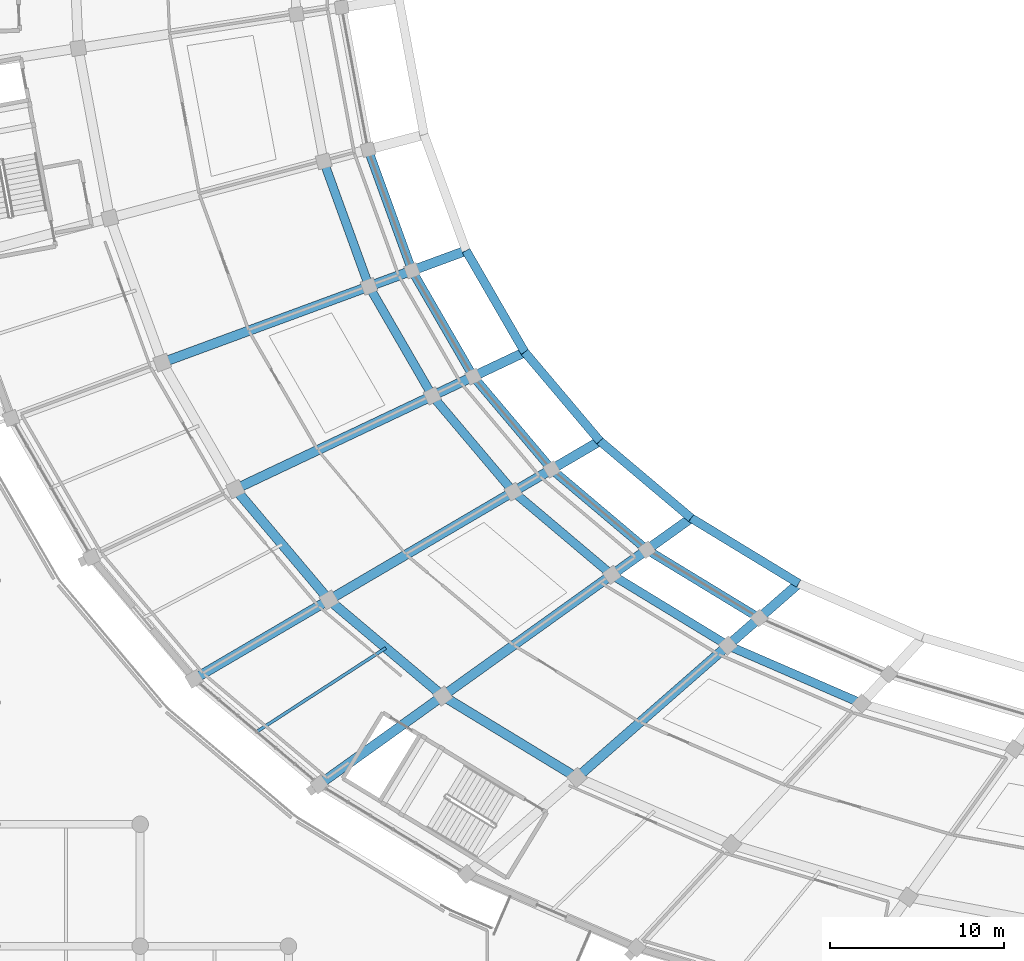
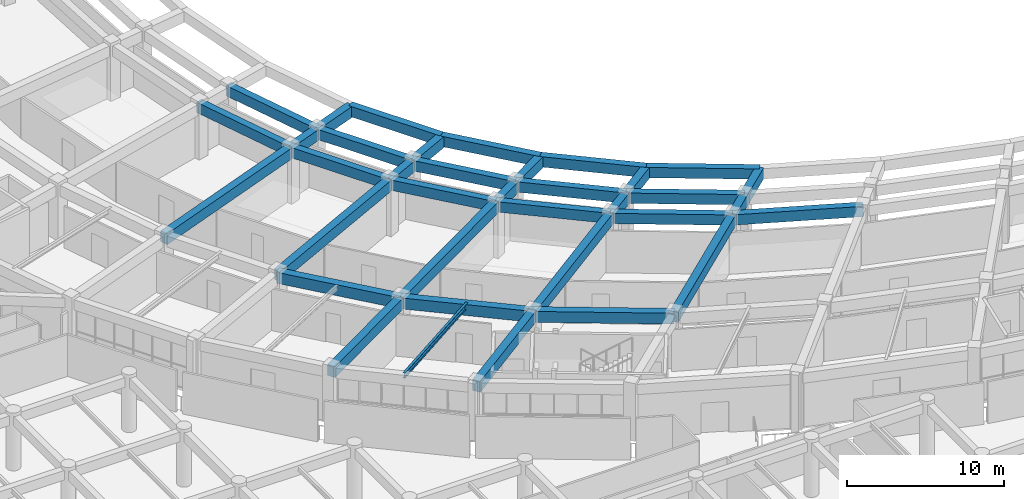
# One storey, part 19 of 145: 26 beams.
"""IFC4 building model written with IfcOpenShell, lengths in metres."""

from ifc_helpers import new_model, si_unit, direction, frame, origin, origin_2d, place, context, subcontext, project, spatial, rectangle, i_section, extrude, material, material_profile, profile_set, type_object, element, save


model = new_model("IFC4")

# Units and contexts
model_context = context("Model", 3, precision=1e-05, world=origin(), true_north=direction((0.0, 1.0)))
body_context = subcontext(model_context, "Body", "Model", "MODEL_VIEW")
ifc_project = project(units=[si_unit("LENGTHUNIT", "METRE"), si_unit("AREAUNIT", "SQUARE_METRE"), si_unit("VOLUMEUNIT", "CUBIC_METRE"), si_unit("PLANEANGLEUNIT", "RADIAN"), si_unit("MASSUNIT", "GRAM", prefix="KILO")], contexts=[model_context])

# Site, building, storey
site_placement = place(None, origin())
site = spatial("IfcSite", under=ifc_project, at=site_placement, CompositionType="ELEMENT")
building_placement = place(site_placement, origin())
building = spatial("IfcBuilding", under=site, at=building_placement, Name="Mphavela Belvedere Stadium", CompositionType="ELEMENT")
storey_placement = place(building_placement, frame((0.0, 0.0, 10.199951171875)))
storey = spatial("IfcBuildingStorey", under=building, at=storey_placement, Name="L02", CompositionType="ELEMENT", Elevation=10.199951171875)

# Beams
ifc_material_1 = material(Name="Steel S355", Category="steel")
ifc_material_profile_1 = material_profile(ifc_material_1, i_section(OverallWidth=0.179931640625, OverallDepth=0.39990234375, WebThickness=0.008544921875, FlangeThickness=0.013427734375, at=origin_2d()), Name="IPE 400")
ifc_profile_set_1 = profile_set([ifc_material_profile_1], Name="Steel S355")
beam_type_1 = type_object("IfcBeamType", Name="BM-JOIST-IPE400", PredefinedType="JOIST", material=ifc_profile_set_1)
beam_1_placement = place(storey_placement, frame((39.669189453125, 38.127197265625, 4.050048828125), z_axis=(-0.838915278194, -0.544262028818, 0.0), x_axis=(0.544262028818, -0.838915278194, 0.0)))
element("IfcBeam", 1, at=beam_1_placement, inside=storey, type_object=beam_type_1, Name="Concourse floor joist L02-30", PredefinedType="JOIST", context=body_context, shape_type="SweptSolid", body=[
    extrude(i_section(OverallWidth=0.179931640625, OverallDepth=0.39990234375, WebThickness=0.008544921875, FlangeThickness=0.013427734375, at=origin_2d()), origin(), (0.0, 0.0, 1.0), 8.840087890625),
])
ifc_material_2 = material(Name="Concrete C40/50", Category="concrete")
ifc_material_profile_2 = material_profile(ifc_material_2, rectangle(XDim=0.5, YDim=0.800048828125, at=origin_2d()), Name="RC 500x800")
ifc_profile_set_2 = profile_set([ifc_material_profile_2], Name="Concrete C40/50")
beam_type_2 = type_object("IfcBeamType", Name="BM-RC500x800", PredefinedType="BEAM", material=ifc_profile_set_2)
beam_2_placement = place(storey_placement, frame((38.648193359375, 66.75244140625, 3.85009765625), z_axis=(0.341037858277, -0.940049562109, 0.0), x_axis=(0.940049562109, 0.341037858277, 0.0)))
element("IfcBeam", 2, at=beam_2_placement, inside=storey, type_object=beam_type_2, Name="Circumferential girder L02 R1-27", PredefinedType="BEAM", context=body_context, shape_type="SweptSolid", body=[
    extrude(rectangle(XDim=0.5, YDim=0.800048828125, at=origin_2d()), origin(), (0.0, 0.0, 1.0), 7.39501953125),
])
beam_3_placement = place(storey_placement, frame((36.0966796875, 66.07568359375, 3.85009765625), z_axis=(0.341037560831, -0.940049670019, 0.0), x_axis=(0.940049670019, 0.341037560831, 0.0)))
element("IfcBeam", 3, at=beam_3_placement, inside=storey, type_object=beam_type_2, Name="Circumferential girder L02 R2-27", PredefinedType="BEAM", context=body_context, shape_type="SweptSolid", body=[
    extrude(rectangle(XDim=0.5, YDim=0.800048828125, at=origin_2d()), origin(), (0.0, 0.0, 1.0), 7.64208984375),
])
beam_4_placement = place(storey_placement, frame((41.170166015625, 59.80078125, 3.85009765625), z_axis=(0.500559513075, -0.86570212768, 0.0), x_axis=(0.86570212768, 0.500559513075, 0.0)))
element("IfcBeam", 4, at=beam_4_placement, inside=storey, type_object=beam_type_2, Name="Circumferential girder L02 R1-28", PredefinedType="BEAM", context=body_context, shape_type="SweptSolid", body=[
    extrude(rectangle(XDim=0.5, YDim=0.800048828125, at=origin_2d()), origin(), (0.0, 0.0, 1.0), 7.02587890625),
])
beam_5_placement = place(storey_placement, frame((38.702880859375, 58.891845703125, 3.85009765625), z_axis=(0.500568314135, -0.86569703874, 0.0), x_axis=(0.86569703874, 0.500568314135, 0.0)))
element("IfcBeam", 5, at=beam_5_placement, inside=storey, type_object=beam_type_2, Name="Circumferential girder L02 R2-28", PredefinedType="BEAM", context=body_context, shape_type="SweptSolid", body=[
    extrude(rectangle(XDim=0.5, YDim=0.800048828125, at=origin_2d()), origin(), (0.0, 0.0, 1.0), 7.2607421875),
])
beam_6_placement = place(storey_placement, frame((44.68701171875, 53.718505859375, 3.85009765625), z_axis=(0.645159025586, -0.764048317651, 0.0), x_axis=(0.764048317651, 0.645159025586, 0.0)))
element("IfcBeam", 6, at=beam_6_placement, inside=storey, type_object=beam_type_2, Name="Circumferential girder L02 R1-29", PredefinedType="BEAM", context=body_context, shape_type="SweptSolid", body=[
    extrude(rectangle(XDim=0.5, YDim=0.800048828125, at=origin_2d()), origin(), (0.0, 0.0, 1.0), 6.975830078125),
])
beam_7_placement = place(storey_placement, frame((42.33740234375, 52.606201171875, 3.85009765625), z_axis=(0.645167637984, -0.764041045297, 0.0), x_axis=(0.764041045297, 0.645167637984, 0.0)))
element("IfcBeam", 7, at=beam_7_placement, inside=storey, type_object=beam_type_2, Name="Circumferential girder L02 R2-29", PredefinedType="BEAM", context=body_context, shape_type="SweptSolid", body=[
    extrude(rectangle(XDim=0.5, YDim=0.800048828125, at=origin_2d()), origin(), (0.0, 0.0, 1.0), 7.208740234375),
])
beam_8_placement = place(storey_placement, frame((49.1875, 48.388671875, 3.85009765625), z_axis=(0.76425683958, -0.644911996442, 0.0), x_axis=(0.644911996442, 0.76425683958, 0.0)))
element("IfcBeam", 8, at=beam_8_placement, inside=storey, type_object=beam_type_2, Name="Circumferential girder L02 R1-30", PredefinedType="BEAM", context=body_context, shape_type="SweptSolid", body=[
    extrude(rectangle(XDim=0.5, YDim=0.800048828125, at=origin_2d()), origin(), (0.0, 0.0, 1.0), 7.1640625),
])
beam_9_placement = place(storey_placement, frame((46.98828125, 47.098388671875, 3.85009765625), z_axis=(0.764257451296, -0.644911271523, 0.0), x_axis=(0.644911271523, 0.764257451296, 0.0)))
element("IfcBeam", 9, at=beam_9_placement, inside=storey, type_object=beam_type_2, Name="Circumferential girder L02 R2-30", PredefinedType="BEAM", context=body_context, shape_type="SweptSolid", body=[
    extrude(rectangle(XDim=0.5, YDim=0.800048828125, at=origin_2d()), origin(), (0.0, 0.0, 1.0), 7.4033203125),
])
beam_10_placement = place(storey_placement, frame((54.66259765625, 43.7685546875, 3.85009765625), z_axis=(0.854325951403, -0.51973759606, 0.0), x_axis=(0.51973759606, 0.854325951403, 0.0)))
element("IfcBeam", 10, at=beam_10_placement, inside=storey, type_object=beam_type_2, Name="Circumferential girder L02 R1-31", PredefinedType="BEAM", context=body_context, shape_type="SweptSolid", body=[
    extrude(rectangle(XDim=0.5, YDim=0.800048828125, at=origin_2d()), origin(), (0.0, 0.0, 1.0), 7.5478515625),
])
beam_11_placement = place(storey_placement, frame((52.646240234375, 42.323974609375, 3.85009765625), z_axis=(0.854328477138, -0.519733444326, 0.0), x_axis=(0.519733444326, 0.854328477138, 0.0)))
element("IfcBeam", 11, at=beam_11_placement, inside=storey, type_object=beam_type_2, Name="Circumferential girder L02 R2-31", PredefinedType="BEAM", context=body_context, shape_type="SweptSolid", body=[
    extrude(rectangle(XDim=0.5, YDim=0.800048828125, at=origin_2d()), origin(), (0.0, 0.0, 1.0), 7.800048828125),
])
beam_12_placement = place(storey_placement, frame((59.31005859375, 38.27001953125, 3.85009765625), z_axis=(0.917495728928, -0.397745631526, 0.0), x_axis=(0.397745631526, 0.917495728928, 0.0)))
element("IfcBeam", 12, at=beam_12_placement, inside=storey, type_object=beam_type_2, Name="Circumferential girder L02 R2-32", PredefinedType="BEAM", context=body_context, shape_type="SweptSolid", body=[
    extrude(rectangle(XDim=0.5, YDim=0.800048828125, at=origin_2d()), origin(), (0.0, 0.0, 1.0), 8.37841796875),
])
beam_13_placement = place(storey_placement, frame((44.27685546875, 60.9453125, 3.85009765625), z_axis=(0.500531411911, -0.865718375507, 0.0), x_axis=(0.865718375507, 0.500531411911, 0.0)))
element("IfcBeam", 13, at=beam_13_placement, inside=storey, type_object=beam_type_2, Name="Upper tier front sightline ring beam 28", PredefinedType="BEAM", context=body_context, shape_type="SweptSolid", body=[
    extrude(rectangle(XDim=0.5, YDim=0.800048828125, at=origin_2d()), origin(), (0.0, 0.0, 1.0), 6.730224609375),
])
beam_14_placement = place(storey_placement, frame((47.6455078125, 55.118896484375, 3.85009765625), z_axis=(0.645180343886, -0.764030316063, 0.0), x_axis=(0.764030316063, 0.645180343886, 0.0)))
element("IfcBeam", 14, at=beam_14_placement, inside=storey, type_object=beam_type_2, Name="Upper tier front sightline ring beam 29", PredefinedType="BEAM", context=body_context, shape_type="SweptSolid", body=[
    extrude(rectangle(XDim=0.5, YDim=0.800048828125, at=origin_2d()), origin(), (0.0, 0.0, 1.0), 6.682373046875),
])
beam_15_placement = place(storey_placement, frame((51.956787109375, 50.013427734375, 3.85009765625), z_axis=(0.764246549785, -0.644924190229, 0.0), x_axis=(0.644924190229, 0.764246549785, 0.0)))
element("IfcBeam", 15, at=beam_15_placement, inside=storey, type_object=beam_type_2, Name="Upper tier front sightline ring beam 30", PredefinedType="BEAM", context=body_context, shape_type="SweptSolid", body=[
    extrude(rectangle(XDim=0.5, YDim=0.800048828125, at=origin_2d()), origin(), (0.0, 0.0, 1.0), 6.862548828125),
])
beam_16_placement = place(storey_placement, frame((57.201416015625, 45.587646484375, 3.85009765625), z_axis=(0.854327633962, -0.519734830321, 0.0), x_axis=(0.519734830321, 0.854327633962, 0.0)))
element("IfcBeam", 16, at=beam_16_placement, inside=storey, type_object=beam_type_2, Name="Upper tier front sightline ring beam 31", PredefinedType="BEAM", context=body_context, shape_type="SweptSolid", body=[
    extrude(rectangle(XDim=0.5, YDim=0.800048828125, at=origin_2d()), origin(), (0.0, 0.0, 1.0), 7.230224609375),
])
ifc_material_3 = material(Name="Concrete C40/50", Category="concrete")
ifc_material_profile_3 = material_profile(ifc_material_3, rectangle(XDim=0.550048828125, YDim=0.85009765625, at=origin_2d()), Name="RC 550x850")
ifc_profile_set_3 = profile_set([ifc_material_profile_3], Name="Concrete C40/50")
beam_type_3 = type_object("IfcBeamType", Name="BM-RC550x850", PredefinedType="BEAM", material=ifc_profile_set_3)
beam_17_placement = place(storey_placement, frame((31.0244140625, 47.251708984375, 3.824951171875), z_axis=(0.645177396673, -0.764032804808, 0.0), x_axis=(0.764032804808, 0.645177396673, 0.0)))
element("IfcBeam", 17, at=beam_17_placement, inside=storey, type_object=beam_type_3, Name="Circumferential girder L02 R3-29", PredefinedType="BEAM", context=body_context, shape_type="SweptSolid", body=[
    extrude(rectangle(XDim=0.550048828125, YDim=0.85009765625, at=origin_2d()), origin(), (0.0, 0.0, 1.0), 8.331298828125),
])
beam_18_placement = place(storey_placement, frame((36.399658203125, 40.88623046875, 3.824951171875), z_axis=(0.764263355392, -0.644904274761, 0.0), x_axis=(0.644904274761, 0.764263355392, 0.0)))
element("IfcBeam", 18, at=beam_18_placement, inside=storey, type_object=beam_type_3, Name="Circumferential girder L02 R3-30", PredefinedType="BEAM", context=body_context, shape_type="SweptSolid", body=[
    extrude(rectangle(XDim=0.550048828125, YDim=0.85009765625, at=origin_2d()), origin(), (0.0, 0.0, 1.0), 8.55615234375),
])
beam_19_placement = place(storey_placement, frame((36.399658203125, 40.88623046875, 3.824951171875), z_axis=(-0.862517779395, -0.506026758411, 0.0), x_axis=(0.506026758411, -0.862517779395, 0.0)))
element("IfcBeam", 19, at=beam_19_placement, inside=storey, type_object=beam_type_3, Name="Radial concourse girder L02 R3R4-30", PredefinedType="BEAM", context=body_context, shape_type="SweptSolid", body=[
    extrude(rectangle(XDim=0.550048828125, YDim=0.85009765625, at=origin_2d()), origin(), (0.0, 0.0, 1.0), 8.971435546875),
])
beam_20_placement = place(storey_placement, frame((42.938720703125, 35.368408203125, 3.824951171875), z_axis=(0.854315160357, -0.519755333579, 0.0), x_axis=(0.519755333579, 0.854315160357, 0.0)))
element("IfcBeam", 20, at=beam_20_placement, inside=storey, type_object=beam_type_3, Name="Circumferential girder L02 R3-31", PredefinedType="BEAM", context=body_context, shape_type="SweptSolid", body=[
    extrude(rectangle(XDim=0.550048828125, YDim=0.85009765625, at=origin_2d()), origin(), (0.0, 0.0, 1.0), 9.014404296875),
])
beam_21_placement = place(storey_placement, frame((42.938720703125, 35.368408203125, 3.824951171875), z_axis=(-0.812882024932, -0.582428376319, 0.0), x_axis=(0.582428376319, -0.812882024932, 0.0)))
element("IfcBeam", 21, at=beam_21_placement, inside=storey, type_object=beam_type_3, Name="Radial concourse girder L02 R3R4-31", PredefinedType="BEAM", context=body_context, shape_type="SweptSolid", body=[
    extrude(rectangle(XDim=0.550048828125, YDim=0.85009765625, at=origin_2d()), origin(), (0.0, 0.0, 1.0), 8.727294921875),
])
beam_22_placement = place(storey_placement, frame((44.27685546875, 60.9453125, 3.824951171875), z_axis=(-0.938345582008, -0.345698667521, 0.0), x_axis=(0.345698667521, -0.938345582008, 0.0)))
element("IfcBeam", 22, at=beam_22_placement, inside=storey, type_object=beam_type_3, Name="Upper tier box-front outrigger girder 28", PredefinedType="BEAM", context=body_context, shape_type="SweptSolid", body=[
    extrude(rectangle(XDim=0.550048828125, YDim=0.85009765625, at=origin_2d()), origin(), (0.0, 0.0, 1.0), 18.59912109375),
])
beam_23_placement = place(storey_placement, frame((47.6455078125, 55.118896484375, 3.824951171875), z_axis=(-0.903863235866, -0.427821517517, 0.0), x_axis=(0.427821517517, -0.903863235866, 0.0)))
element("IfcBeam", 23, at=beam_23_placement, inside=storey, type_object=beam_type_3, Name="Upper tier box-front outrigger girder 29", PredefinedType="BEAM", context=body_context, shape_type="SweptSolid", body=[
    extrude(rectangle(XDim=0.550048828125, YDim=0.85009765625, at=origin_2d()), origin(), (0.0, 0.0, 1.0), 18.388916015625),
])
beam_24_placement = place(storey_placement, frame((51.956787109375, 50.013427734375, 3.824951171875), z_axis=(-0.862516477439, -0.506028977575, 0.0), x_axis=(0.506028977575, -0.862516477439, 0.0)))
element("IfcBeam", 24, at=beam_24_placement, inside=storey, type_object=beam_type_3, Name="Upper tier box-front outrigger girder 30", PredefinedType="BEAM", context=body_context, shape_type="SweptSolid", body=[
    extrude(rectangle(XDim=0.550048828125, YDim=0.85009765625, at=origin_2d()), origin(), (0.0, 0.0, 1.0), 18.036865234375),
])
beam_25_placement = place(storey_placement, frame((57.201416015625, 45.587646484375, 3.824951171875), z_axis=(-0.812880808861, -0.582430073559, 0.0), x_axis=(0.582430073559, -0.812880808861, 0.0)))
element("IfcBeam", 25, at=beam_25_placement, inside=storey, type_object=beam_type_3, Name="Upper tier box-front outrigger girder 31", PredefinedType="BEAM", context=body_context, shape_type="SweptSolid", body=[
    extrude(rectangle(XDim=0.550048828125, YDim=0.85009765625, at=origin_2d()), origin(), (0.0, 0.0, 1.0), 17.5458984375),
])
beam_26_placement = place(storey_placement, frame((63.37841796875, 41.829833984375, 3.824951171875), z_axis=(-0.752561505429, -0.65852196664, 0.0), x_axis=(0.65852196664, -0.752561505429, 0.0)))
element("IfcBeam", 26, at=beam_26_placement, inside=storey, type_object=beam_type_3, Name="Upper tier box-front outrigger girder 32", PredefinedType="BEAM", context=body_context, shape_type="SweptSolid", body=[
    extrude(rectangle(XDim=0.550048828125, YDim=0.85009765625, at=origin_2d()), origin(), (0.0, 0.0, 1.0), 16.927001953125),
])

save(model, "model.ifc")
